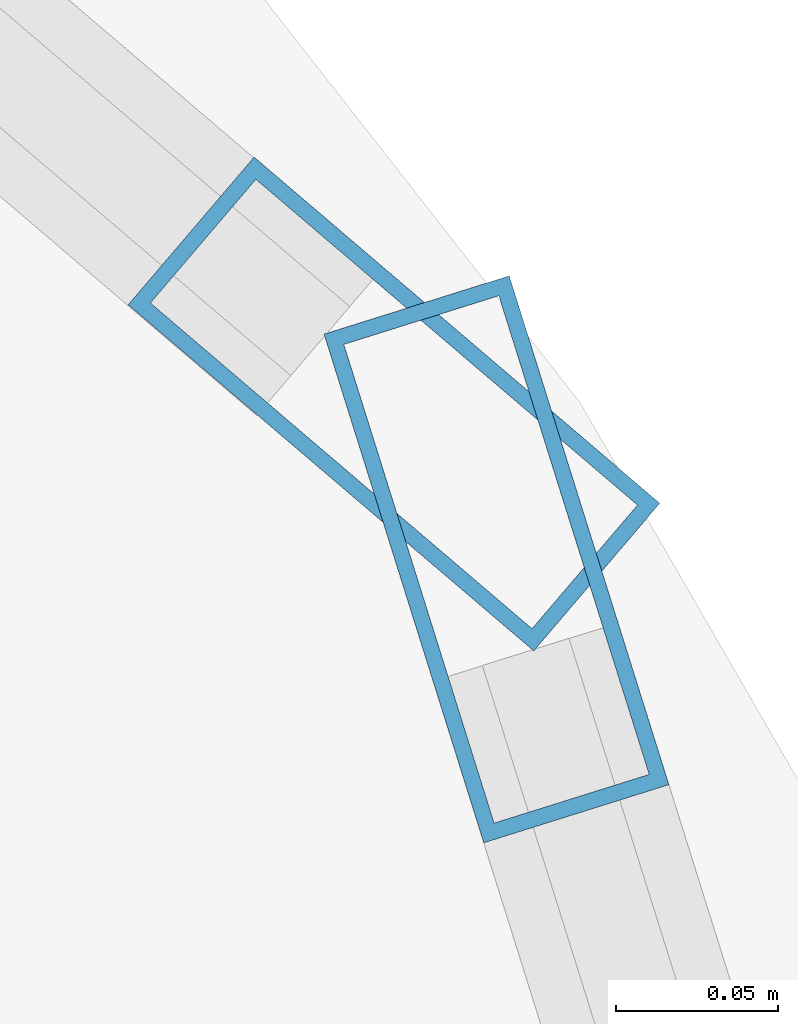
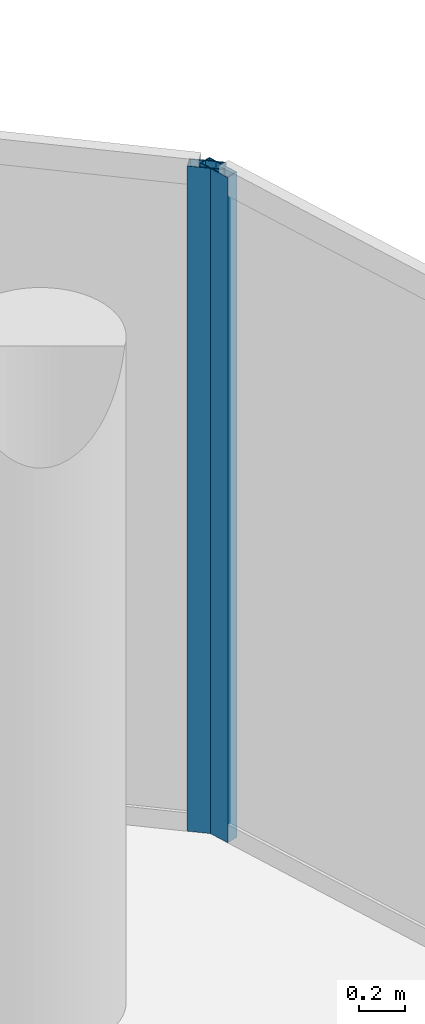
# One storey, part 14 of 24: 2 members, 2 elements without a shape of their own.
"""IFC4 building model written with IfcOpenShell, lengths in metres."""

import ifcopenshell
import ifcopenshell.guid

model = None  # the IFC model being written
_history = None  # IfcOwnerHistory: only IFC2X3 demands one
_inside = {}  # id of a spatial element -> (the spatial element, [elements in it])
_under = {}  # id of a project, library or spatial element -> (it, [spatial elements below it])
_declared = {}  # id of a project -> (the project, [libraries it declares])
_typed = {}  # id of a type object -> (the type object, [elements of that type])
_made_of = {}  # id of a material, layer set ... -> (it, [elements and type objects made of it])


def new_model(schema):
    """Start an empty IFC model of exactly this schema.

    Asked for "IFC4X3", IfcOpenShell would pick the latest addendum, in which some entities
    have other attributes; the version numbers below select the first issue.
    IFC2X3 requires an IfcOwnerHistory on every rooted entity: one is made here for all.
    """
    global model, _history
    if schema == "IFC4X3":
        model = ifcopenshell.file(schema_version=(4, 3, 0, 0))
    else:
        model = ifcopenshell.file(schema=schema)
    _inside.clear()
    _under.clear()
    _declared.clear()
    _typed.clear()
    _made_of.clear()
    _history = None
    if model.schema == "IFC2X3":
        org = make("IfcOrganization", Name="unknown")
        user = make(
            "IfcPersonAndOrganization",
            ThePerson=make("IfcPerson", FamilyName="unknown"),
            TheOrganization=org,
        )
        app = make(
            "IfcApplication",
            ApplicationDeveloper=org,
            Version="unknown",
            ApplicationFullName="unknown",
            ApplicationIdentifier="unknown",
        )
        _history = make(
            "IfcOwnerHistory",
            OwningUser=user,
            OwningApplication=app,
            ChangeAction="ADDED",
            CreationDate=0,
        )
    return model


def make(cls, **values):
    """One entity of the class cls with the attributes given. An attribute that is None is left unset."""
    return model.create_entity(
        cls, **{name: value for name, value in values.items() if value is not None}
    )


def rooted(cls, **values):
    """An entity with a GlobalId (a new one), such as an element, a storey or a relation."""
    return make(cls, GlobalId=ifcopenshell.guid.new(), OwnerHistory=_history, **values)


def si_unit(unit_type, name, prefix=None):
    """IfcSIUnit, for example si_unit("LENGTHUNIT", "METRE", prefix="MILLI")."""
    return make("IfcSIUnit", UnitType=unit_type, Prefix=prefix, Name=name)


def assignment(units):
    """IfcUnitAssignment: the units of a project."""
    return None if units is None else make("IfcUnitAssignment", Units=units)


def point(xyz):
    """IfcCartesianPoint."""
    return None if xyz is None else make("IfcCartesianPoint", Coordinates=xyz)


def direction(xyz):
    """IfcDirection."""
    return None if xyz is None else make("IfcDirection", DirectionRatios=xyz)


def frame(location, z_axis=None, x_axis=None):
    """IfcAxis2Placement3D, a coordinate frame: its origin and axes. An axis left out is left unset."""
    return make(
        "IfcAxis2Placement3D",
        Location=point(location),
        Axis=direction(z_axis),
        RefDirection=direction(x_axis),
    )


def frame_2d(location, x_axis=None):
    """IfcAxis2Placement2D, a coordinate frame in the plane: its origin and x axis."""
    return make(
        "IfcAxis2Placement2D", Location=point(location), RefDirection=direction(x_axis)
    )


def origin():
    """The frame at (0, 0, 0) with its axes left unset."""
    return frame((0.0, 0.0, 0.0))


def origin_2d():
    """The frame at (0, 0) in the plane with its x axis left unset."""
    return frame_2d((0.0, 0.0))


def place(relative_to, where):
    """IfcLocalPlacement: puts the frame where relative to a parent placement (None: the world)."""
    return make(
        "IfcLocalPlacement", PlacementRelTo=relative_to, RelativePlacement=where
    )


def context(
    kind, dimensions, precision=None, world=None, true_north=None, identifier=None
):
    """IfcGeometricRepresentationContext, for example the 3D "Model" context."""
    return make(
        "IfcGeometricRepresentationContext",
        ContextIdentifier=identifier,
        ContextType=kind,
        CoordinateSpaceDimension=dimensions,
        Precision=precision,
        WorldCoordinateSystem=world,
        TrueNorth=true_north,
    )


def subcontext(parent, identifier, kind, view, scale=None):
    """IfcGeometricRepresentationSubContext, for example "Body" below "Model"."""
    return make(
        "IfcGeometricRepresentationSubContext",
        ContextIdentifier=identifier,
        ContextType=kind,
        ParentContext=parent,
        TargetScale=scale,
        TargetView=view,
    )


def project(units=None, contexts=None):
    """IfcProject with its units and contexts."""
    return rooted(
        "IfcProject",
        Name="project",
        RepresentationContexts=contexts,
        UnitsInContext=assignment(units),
    )


def spatial(cls, under=None, at=None, **own):
    """A site, building, storey or space (cls), placed at a placement, below another one or the project."""
    s = rooted(cls, ObjectPlacement=at, **own)
    if under is not None:
        _under.setdefault(under.id(), (under, []))[1].append(s)
    return s


def profile(cls, at=None, kind="AREA", **sizes):
    """A parametric profile (cls). Its sizes go by their IFC names, for example OverallWidth=200.0."""
    return make(cls, ProfileType=kind, Position=at, **sizes)


def hollow_rectangle(**sizes):
    """IfcRectangleHollowProfileDef."""
    return profile("IfcRectangleHollowProfileDef", **sizes)


def extrude(swept, where, along, depth):
    """IfcExtrudedAreaSolid: the profile swept, set in the frame where, extruded along a direction by depth."""
    return make(
        "IfcExtrudedAreaSolid",
        SweptArea=swept,
        Position=where,
        ExtrudedDirection=direction(along),
        Depth=depth,
    )


def shape(context_of_items, identifier, shape_type, items):
    """IfcShapeRepresentation: the items that make up one representation, for example the "Body"."""
    return make(
        "IfcShapeRepresentation",
        ContextOfItems=context_of_items,
        RepresentationIdentifier=identifier,
        RepresentationType=shape_type,
        Items=items,
    )


def material(Name=None, Category=None):
    """IfcMaterial."""
    return make("IfcMaterial", Name=Name, Category=Category)


def layer(
    of_material, thickness, ventilated=None, Name=None, Category=None, Priority=None
):
    """IfcMaterialLayer: one layer of a wall or slab, of a material (None: an air gap)."""
    return make(
        "IfcMaterialLayer",
        Material=of_material,
        LayerThickness=thickness,
        IsVentilated=ventilated,
        Name=Name,
        Category=Category,
        Priority=Priority,
    )


def layer_set(layers, Name=None):
    """IfcMaterialLayerSet."""
    return make("IfcMaterialLayerSet", MaterialLayers=layers, LayerSetName=Name)


def material_profile(
    of_material, cross_section, Name=None, Category=None, Priority=None
):
    """IfcMaterialProfile: a cross section and its material."""
    return make(
        "IfcMaterialProfile",
        Name=Name,
        Material=of_material,
        Profile=cross_section,
        Priority=Priority,
        Category=Category,
    )


def profile_set(profiles, Name=None, composite=None):
    """IfcMaterialProfileSet."""
    return make(
        "IfcMaterialProfileSet",
        Name=Name,
        MaterialProfiles=profiles,
        CompositeProfile=composite,
    )


def made_of(thing, what):
    """Note that an element or type object is made of a material, layer set ...; save() writes the relation."""
    if what is not None:
        _made_of.setdefault(what.id(), (what, []))[1].append(thing)
    return thing


def type_object(cls, material=None, **own):
    """A type object (cls), such as IfcWallType, which elements share."""
    return made_of(rooted(cls, **own), material)


def element(
    cls,
    number,
    at=None,
    inside=None,
    cuts=None,
    type_object=None,
    material=None,
    context=None,
    identifier="Body",
    shape_type=None,
    held_by="IfcProductDefinitionShape",
    body=None,
    shapes=None,
    **own,
):
    """One element of the class cls, such as IfcWall. Its Tag is "e" and its number.

    at: its placement. inside: the storey or other place that contains it. cuts: it is an
    opening in that element (IfcRelVoidsElement). A single representation is given by context,
    identifier, shape_type and body (its items); several are given by shapes. held_by: the class
    of the entity that holds the representations. save() writes the other relations.
    """
    e = rooted(cls, Tag="e%d" % number, ObjectPlacement=at, **own)
    if body is not None:
        shapes = [shape(context, identifier, shape_type, body)]
    if shapes is not None:
        e.Representation = make(held_by, Representations=shapes)
    if inside is not None:
        _inside.setdefault(inside.id(), (inside, []))[1].append(e)
    if cuts is not None:
        rooted(
            "IfcRelVoidsElement", RelatingBuildingElement=cuts, RelatedOpeningElement=e
        )
    if type_object is not None:
        _typed.setdefault(type_object.id(), (type_object, []))[1].append(e)
    return made_of(e, material)


def aggregate(whole, parts):
    """IfcRelAggregates: a whole, such as a stair, and the parts it consists of."""
    return rooted("IfcRelAggregates", RelatingObject=whole, RelatedObjects=parts)


def save(model, path):
    """Write the relations noted so far, then the file.

    IfcRelAggregates (storeys below a building ...), IfcRelContainedInSpatialStructure (elements
    in a storey), IfcRelDefinesByType, IfcRelAssociatesMaterial and IfcRelDeclares: one each for
    every whole, place, type object, material and project.
    """
    for whole, parts in _under.values():
        aggregate(whole, parts)
    for where, things in _inside.values():
        rooted(
            "IfcRelContainedInSpatialStructure",
            RelatedElements=things,
            RelatingStructure=where,
        )
    for kind, things in _typed.values():
        rooted("IfcRelDefinesByType", RelatedObjects=things, RelatingType=kind)
    for what, things in _made_of.values():
        rooted("IfcRelAssociatesMaterial", RelatedObjects=things, RelatingMaterial=what)
    for by, libraries in _declared.values():
        rooted("IfcRelDeclares", RelatingContext=by, RelatedDefinitions=libraries)
    model.write(path)


model = new_model("IFC4")

# Units and contexts
model_context = context("Model", 3, precision=1e-05, world=origin(), true_north=direction((0.0, 1.0)))
body_context = subcontext(model_context, "Body", "Model", "MODEL_VIEW")
ifc_project = project(units=[si_unit("LENGTHUNIT", "METRE"), si_unit("AREAUNIT", "SQUARE_METRE"), si_unit("VOLUMEUNIT", "CUBIC_METRE"), si_unit("PLANEANGLEUNIT", "RADIAN"), si_unit("MASSUNIT", "GRAM", prefix="KILO")], contexts=[model_context])

# Site, building, storey
site_placement = place(None, origin())
site = spatial("IfcSite", under=ifc_project, at=site_placement, CompositionType="ELEMENT")
building_placement = place(site_placement, origin())
building = spatial("IfcBuilding", under=site, at=building_placement, Name="Nuhasar Tower", CompositionType="ELEMENT")
storey_placement = place(building_placement, frame((0.0, 0.0, 282.199951171875)))
storey = spatial("IfcBuildingStorey", under=building, at=storey_placement, Name="L70", CompositionType="ELEMENT", Elevation=282.199951171875)

# Curtain wall, member
ifc_material = material(Name="Aluminium 6063-T6", Category="aluminium")
ifc_layer = layer(ifc_material, 0.18994140625)
ifc_layer_set = layer_set([ifc_layer], Name="Aluminium 6063-T6")
curtain_wall_type = type_object("IfcCurtainWallType", Name="CW-Z4-PEN", PredefinedType="NOTDEFINED", material=ifc_layer_set)
curtain_wall_1_placement = place(storey_placement, origin())
curtain_wall_1 = element("IfcCurtainWall", 1, at=curtain_wall_1_placement, inside=storey, type_object=curtain_wall_type, Name="L70 Unitised Curtain Wall 01", PredefinedType="NOTDEFINED")
ifc_material_profile = material_profile(ifc_material, hollow_rectangle(XDim=0.06005859375, YDim=0.1650390625, WallThickness=0.0048828125, at=origin_2d()), Name="CWM-5")
ifc_profile_set = profile_set([ifc_material_profile], Name="Aluminium 6063-T6")
member_type = type_object("IfcMemberType", Name="CW-MUL-S5", PredefinedType="MULLION", material=ifc_profile_set)
member_1_placement = place(storey_placement, frame((56.72802734375, 35.50146484375, 0.0), z_axis=(0.0, 0.0, 1.0), x_axis=(-0.954078526601, -0.299556614146, 0.0)))
member_1 = element("IfcMember", 2, at=member_1_placement, type_object=member_type, Name="CW-Z4 mullion 2", PredefinedType="MULLION", context=body_context, shape_type="SweptSolid", body=[
    extrude(hollow_rectangle(XDim=0.06005859375, YDim=0.1650390625, WallThickness=0.0048828125, at=origin_2d()), origin(), (0.0, 0.0, 1.0), 3.5400390625),
])
aggregate(curtain_wall_1, [member_1])

curtain_wall_2_placement = place(storey_placement, origin())
curtain_wall_2 = element("IfcCurtainWall", 3, at=curtain_wall_2_placement, inside=storey, type_object=curtain_wall_type, Name="L70 Unitised Curtain Wall 02", PredefinedType="NOTDEFINED")
member_2_placement = place(storey_placement, frame((56.6962890625, 35.549560546875, 0.0), z_axis=(0.0, 0.0, 1.0), x_axis=(-0.649141996205, -0.760667252327, 0.0)))
member_2 = element("IfcMember", 4, at=member_2_placement, type_object=member_type, Name="CW-Z4 mullion 1", PredefinedType="MULLION", context=body_context, shape_type="SweptSolid", body=[
    extrude(hollow_rectangle(XDim=0.06005859375, YDim=0.1650390625, WallThickness=0.0048828125, at=origin_2d()), origin(), (0.0, 0.0, 1.0), 3.5400390625),
])
aggregate(curtain_wall_2, [member_2])

save(model, "model.ifc")
